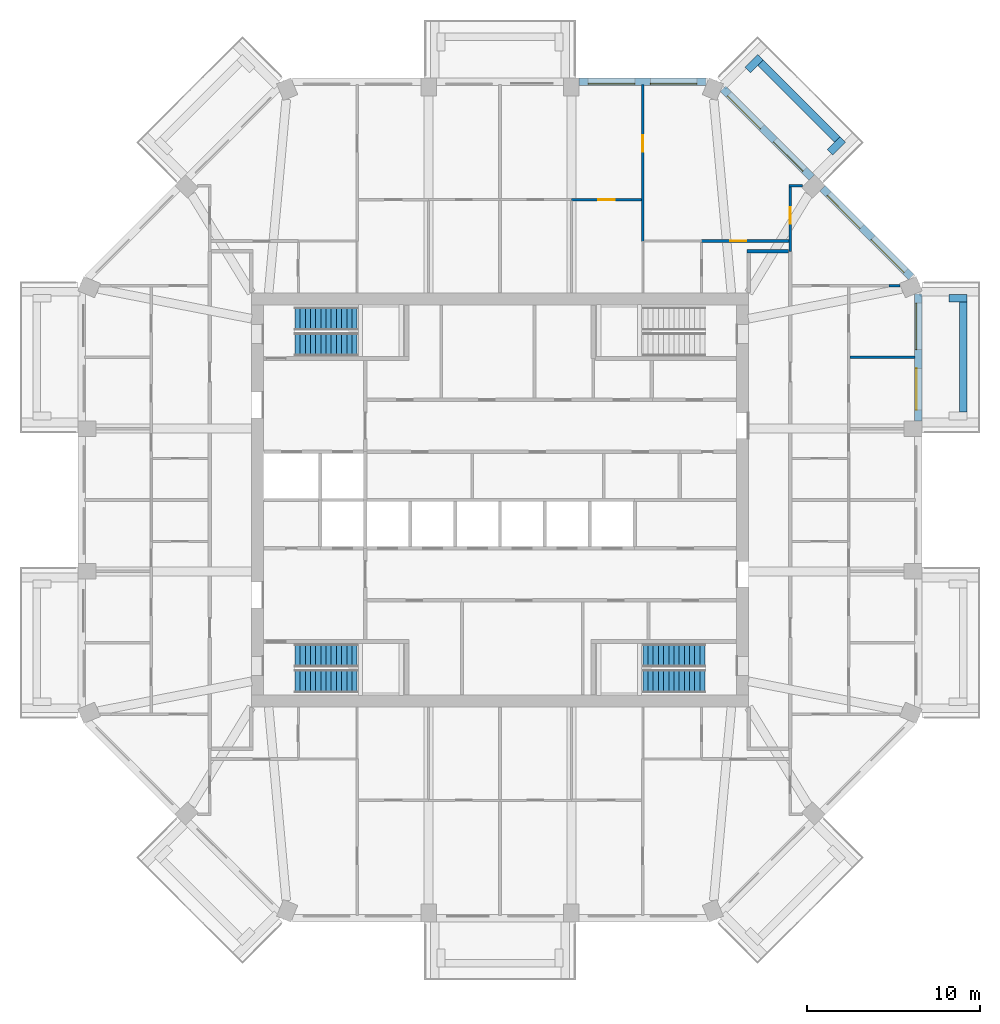
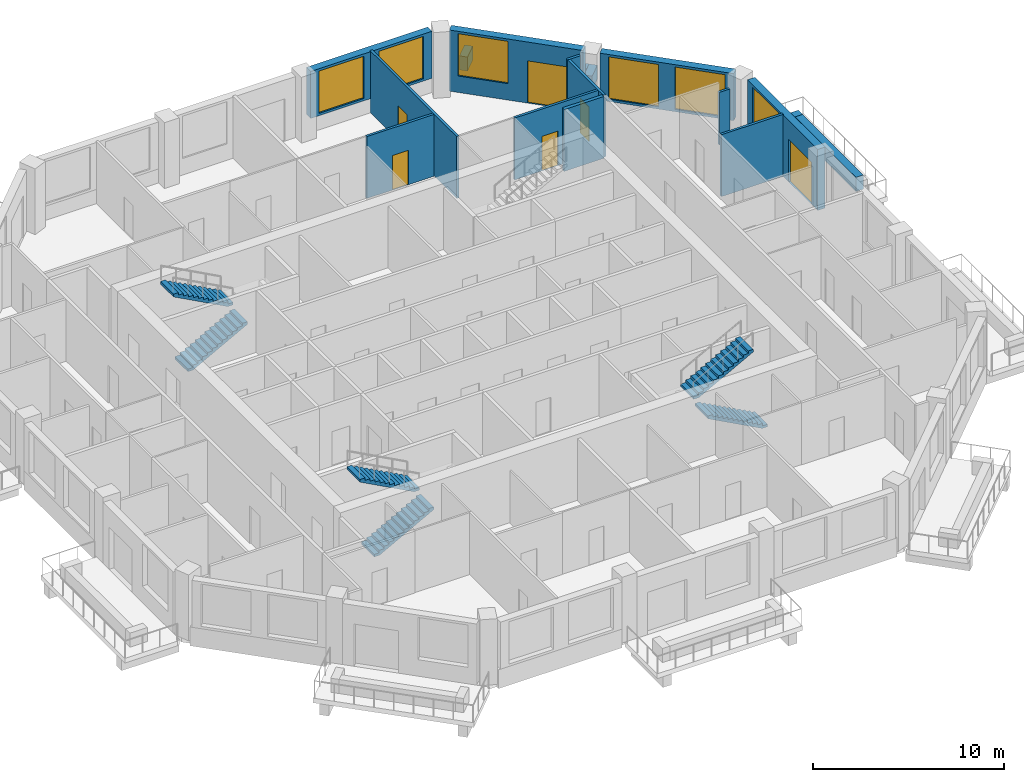
# One storey, part 9 of 12: 17 walls, 6 doors, 6 stair flights, 6 windows, 12 openings, 3 elements without a shape of their own.
"""IFC4 building model written with IfcOpenShell, lengths in metres."""

from ifc_helpers import new_model, si_unit, direction, frame, frame_2d, origin, place, context, subcontext, project, spatial, polyline, rectangle, outline, extrude, material, layer, layer_set, type_object, element, fill, aggregate, save


model = new_model("IFC4")

# Units and contexts
model_context = context("Model", 3, precision=1e-05, world=origin(), true_north=direction((0.0, 1.0)))
body_context = subcontext(model_context, "Body", "Model", "MODEL_VIEW")
ifc_project = project(units=[si_unit("LENGTHUNIT", "METRE"), si_unit("AREAUNIT", "SQUARE_METRE"), si_unit("VOLUMEUNIT", "CUBIC_METRE"), si_unit("PLANEANGLEUNIT", "RADIAN"), si_unit("MASSUNIT", "GRAM", prefix="KILO")], contexts=[model_context])

# Site, building, storey
site_placement = place(None, origin())
site = spatial("IfcSite", under=ifc_project, at=site_placement, CompositionType="ELEMENT")
building_placement = place(site_placement, origin())
building = spatial("IfcBuilding", under=site, at=building_placement, Name="Msitu Wima Residences", CompositionType="ELEMENT")
storey_placement = place(building_placement, frame((0.0, 0.0, 166.5)))
storey = spatial("IfcBuildingStorey", under=building, at=storey_placement, Name="L38", CompositionType="ELEMENT", Elevation=166.5)

# Walls
ifc_material_1 = material(Name="Facing brick")
ifc_layer_1 = layer(ifc_material_1, 0.06494140625, Name="Facing brick")
ifc_material_2 = material(Name="Concrete C40/50", Category="concrete")
ifc_layer_2 = layer(ifc_material_2, 0.156005859375, Name="Concrete C40/50")
ifc_material_3 = material(Name="Waterproofing membrane")
ifc_layer_3 = layer(ifc_material_3, 0.00390625, Name="Waterproofing membrane")
ifc_material_4 = material(Name="Planting soil and planting")
ifc_layer_4 = layer(ifc_material_4, 0.22509765625, Name="Planting soil and planting")
ifc_layer_set_1 = layer_set([ifc_layer_1, ifc_layer_2, ifc_layer_3, ifc_layer_4], Name="Concrete C40/50")
wall_type_1 = type_object("IfcWallType", Name="Balcony planter PLANTER PL450", PredefinedType="USERDEFINED", material=ifc_layer_set_1)
wall_1_placement = place(storey_placement, frame((26.824951171875, 5.087158203125, 0.0), z_axis=(0.0, 0.0, 1.0), x_axis=(0.0, 1.0, 0.0)))
element("IfcWall", 1, at=wall_1_placement, inside=storey, type_object=wall_type_1, Name="Balcony planter E2 L38", ObjectType="PLANTER", PredefinedType="USERDEFINED", context=body_context, shape_type="SweptSolid", body=[
    extrude(rectangle(XDim=6.37451171875, YDim=0.449951171875, at=frame_2d((3.187255859375, 0.0))), origin(), (0.0, 0.0, 1.0), 0.89990234375),
])
wall_2_placement = place(storey_placement, frame((26.0, 11.686767578125, 0.0), z_axis=(0.0, 0.0, 1.0), x_axis=(1.0, 0.0, 0.0)))
element("IfcWall", 2, at=wall_2_placement, inside=storey, type_object=wall_type_1, Name="Balcony planter E2 L38", ObjectType="PLANTER", PredefinedType="USERDEFINED", context=body_context, shape_type="SweptSolid", body=[
    extrude(rectangle(XDim=1.050048828125, YDim=0.449951171875, at=frame_2d((0.52490234375, 0.0))), origin(), (0.0, 0.0, 1.0), 0.89990234375),
])
wall_3_placement = place(storey_placement, frame((19.53173828125, 20.875244140625, 0.0), z_axis=(0.0, 0.0, 1.0), x_axis=(-0.707106781187, 0.707106781187, 0.0)))
element("IfcWall", 3, at=wall_3_placement, inside=storey, type_object=wall_type_1, Name="Balcony planter NE1 L38", ObjectType="PLANTER", PredefinedType="USERDEFINED", context=body_context, shape_type="SweptSolid", body=[
    extrude(rectangle(XDim=6.294189453125, YDim=0.449951171875, at=frame_2d((3.14697265625, 0.0))), origin(), (0.0, 0.0, 1.0), 0.89990234375),
])
for number, where, z_axis, x_axis, name in (
    (4, (19.107421875, 20.1328125, 0.0), (0.0, 0.0, 1.0), (0.707106781187, 0.707106781187, 0.0), "Balcony planter NE1 L38"),
    (5, (14.338623046875, 24.901611328125, 0.0), (0.0, 0.0, 1.0), (0.707106781187, 0.707106781187, 0.0), "Balcony planter NE1 L38"),
):
    element("IfcWall", number, at=place(storey_placement, frame(where, z_axis=z_axis, x_axis=x_axis)), inside=storey, type_object=wall_type_1, Name=name, ObjectType="PLANTER", PredefinedType="USERDEFINED", context=body_context, shape_type="SweptSolid", body=[
        extrude(rectangle(XDim=1.050048828125, YDim=0.449951171875, at=frame_2d((0.52490234375, 0.0))), origin(), (0.0, 0.0, 1.0), 0.89990234375),
    ])

# Wall, openings, door, window
ifc_material_5 = material(Name="Brick (red buff mix)", Category="masonry")
ifc_layer_5 = layer(ifc_material_5, 0.449951171875)
ifc_layer_set_2 = layer_set([ifc_layer_5], Name="Brick (red buff mix)")
wall_type_2 = type_object("IfcWallType", Name="Brick infill wall BW450", PredefinedType="SOLIDWALL", material=ifc_layer_set_2)
wall_4_placement = place(storey_placement, frame((24.22509765625, 4.587158203125, 0.0), z_axis=(0.0, 0.0, 1.0), x_axis=(0.0, 1.0, 0.0)))
wall_4 = element("IfcWall", 6, at=wall_4_placement, inside=storey, type_object=wall_type_2, Name="Brick infill wall L38 E2", PredefinedType="SOLIDWALL", context=body_context, shape_type="SweptSolid", body=[
    extrude(rectangle(XDim=7.337646484375, YDim=0.449951171875, at=frame_2d((3.6689453125, 0.0))), origin(), (0.0, 0.0, 1.0), 3.89990234375),
])
opening_1_placement = place(wall_4_placement, frame((0.63427734375, 0.0, 0.0)))
opening_1 = element("IfcOpeningElement", 7, at=opening_1_placement, cuts=wall_4, Name="Opening D38-39.002", PredefinedType="OPENING", context=body_context, shape_type="SweptSolid", body=[
    extrude(rectangle(XDim=2.39990234375, YDim=2.699951171875, at=frame_2d((1.199951171875, 1.35009765625))), frame((0.0, 0.23486328125, 0.0), z_axis=(0.0, -1.0, 0.0), x_axis=(1.0, 0.0, 0.0)), (0.0, 0.0, 1.0), 0.469970703125),
])
opening_2_placement = place(wall_4_placement, frame((4.11865234375, 0.0, 1.050048828125)))
opening_2 = element("IfcOpeningElement", 8, at=opening_2_placement, cuts=wall_4, Name="Opening W38-39.004", PredefinedType="OPENING", context=body_context, shape_type="SweptSolid", body=[
    extrude(rectangle(XDim=2.699951171875, YDim=2.699951171875, at=frame_2d((1.35009765625, 1.35009765625))), frame((0.0, 0.23486328125, 0.0), z_axis=(0.0, -1.0, 0.0), x_axis=(1.0, 0.0, 0.0)), (0.0, 0.0, 1.0), 0.469970703125),
])
ifc_material_6 = material(Name="Anodised aluminium, bronze finish, clear low-emissivity double glazing", Category="aluminium")
door_type_1 = type_object("IfcDoorType", Name="Balcony door D2400x2700", OperationType="SLIDING_TO_LEFT", PredefinedType="DOOR", material=ifc_material_6)
door_1_placement = place(opening_1_placement, origin())
door_1 = element("IfcDoor", 9, at=door_1_placement, inside=storey, type_object=door_type_1, Name="Balcony door L38 E2", OperationType="SINGLE_SWING_LEFT", OverallHeight=2.699951171875, OverallWidth=2.39990234375, PredefinedType="DOOR", context=body_context, shape_type="SweptSolid", body=[
    extrude(rectangle(XDim=2.39990234375, YDim=2.699951171875, at=frame_2d((1.199951171875, 1.35009765625))), frame((0.0, 0.1298828125, 0.0), z_axis=(0.0, -1.0, 0.0), x_axis=(1.0, 0.0, 0.0)), (0.0, 0.0, 1.0), 0.050048828125),
])
fill(opening_1, door_1)
window_type = type_object("IfcWindowType", Name="Window W2700x2700", PartitioningType="DOUBLE_PANEL_VERTICAL", PredefinedType="WINDOW", material=ifc_material_6)
window_1_placement = place(opening_2_placement, origin())
window_1 = element("IfcWindow", 10, at=window_1_placement, inside=storey, type_object=window_type, Name="Window L38 E2.2", OverallHeight=2.699951171875, OverallWidth=2.699951171875, PartitioningType="SINGLE_PANEL", PredefinedType="WINDOW", context=body_context, shape_type="SweptSolid", body=[
    extrude(rectangle(XDim=2.699951171875, YDim=2.699951171875, at=frame_2d((1.35009765625, 1.35009765625))), frame((0.0, 0.135009765625, 0.0), z_axis=(0.0, -1.0, 0.0), x_axis=(1.0, 0.0, 0.0)), (0.0, 0.0, 1.0), 0.06005859375),
])
fill(opening_2, window_1)

# Wall, openings, windows
wall_5_placement = place(storey_placement, frame((23.814697265625, 12.915283203125, 0.89990234375), z_axis=(0.0, 0.0, 1.0), x_axis=(-0.707106781187, 0.707106781187, 0.0)))
wall_5 = element("IfcWall", 11, at=wall_5_placement, inside=storey, type_object=wall_type_2, Name="Brick infill wall L38 NE0", PredefinedType="SOLIDWALL", context=body_context, shape_type="SweptSolid", body=[
    extrude(rectangle(XDim=7.257080078125, YDim=0.449951171875, at=frame_2d((3.62841796875, 0.0))), origin(), (0.0, 0.0, 1.0), 3.0),
])
opening_3_placement = place(wall_5_placement, frame((0.478515625, 0.0, 0.14990234375)))
opening_3 = element("IfcOpeningElement", 12, at=opening_3_placement, cuts=wall_5, Name="Opening W38-39.010", PredefinedType="OPENING", context=body_context, shape_type="SweptSolid", body=[
    extrude(rectangle(XDim=2.699951171875, YDim=2.699951171875, at=frame_2d((1.35009765625, 1.35009765625))), frame((0.0, 0.23486328125, 0.0), z_axis=(0.0, -1.0, 0.0), x_axis=(1.0, 0.0, 0.0)), (0.0, 0.0, 1.0), 0.469970703125),
])
opening_4_placement = place(wall_5_placement, frame((4.07861328125, 0.0, 0.14990234375)))
opening_4 = element("IfcOpeningElement", 13, at=opening_4_placement, cuts=wall_5, Name="Opening W38-39.011", PredefinedType="OPENING", context=body_context, shape_type="SweptSolid", body=[
    extrude(rectangle(XDim=2.699951171875, YDim=2.699951171875, at=frame_2d((1.35009765625, 1.35009765625))), frame((0.0, 0.23486328125, 0.0), z_axis=(0.0, -1.0, 0.0), x_axis=(1.0, 0.0, 0.0)), (0.0, 0.0, 1.0), 0.469970703125),
])
window_2_placement = place(opening_3_placement, origin())
window_2 = element("IfcWindow", 14, at=window_2_placement, inside=storey, type_object=window_type, Name="Window L38 NE0.1", OverallHeight=2.699951171875, OverallWidth=2.699951171875, PartitioningType="SINGLE_PANEL", PredefinedType="WINDOW", context=body_context, shape_type="SweptSolid", body=[
    extrude(rectangle(XDim=2.699951171875, YDim=2.699951171875, at=frame_2d((1.35009765625, 1.35009765625))), frame((0.0, 0.135009765625, 0.0), z_axis=(0.0, -1.0, 0.0), x_axis=(1.0, 0.0, 0.0)), (0.0, 0.0, 1.0), 0.06005859375),
])
fill(opening_3, window_2)
window_3_placement = place(opening_4_placement, origin())
window_3 = element("IfcWindow", 15, at=window_3_placement, inside=storey, type_object=window_type, Name="Window L38 NE0.2", OverallHeight=2.699951171875, OverallWidth=2.699951171875, PartitioningType="SINGLE_PANEL", PredefinedType="WINDOW", context=body_context, shape_type="SweptSolid", body=[
    extrude(rectangle(XDim=2.699951171875, YDim=2.699951171875, at=frame_2d((1.35009765625, 1.35009765625))), frame((0.0, 0.135009765625, 0.0), z_axis=(0.0, -1.0, 0.0), x_axis=(1.0, 0.0, 0.0)), (0.0, 0.0, 1.0), 0.06005859375),
])
fill(opening_4, window_3)

# Wall, openings, door, window
wall_6_placement = place(storey_placement, frame((18.046875, 18.68310546875, 0.0), z_axis=(0.0, 0.0, 1.0), x_axis=(-0.707106781187, 0.707106781187, 0.0)))
wall_6 = element("IfcWall", 16, at=wall_6_placement, inside=storey, type_object=wall_type_2, Name="Brick infill wall L38 NE1", PredefinedType="SOLIDWALL", context=body_context, shape_type="SweptSolid", body=[
    extrude(rectangle(XDim=7.257080078125, YDim=0.449951171875, at=frame_2d((3.62841796875, 0.0))), origin(), (0.0, 0.0, 1.0), 3.89990234375),
])
opening_5_placement = place(wall_6_placement, frame((0.6142578125, 0.0, 0.0)))
opening_5 = element("IfcOpeningElement", 17, at=opening_5_placement, cuts=wall_6, Name="Opening D38-39.004", PredefinedType="OPENING", context=body_context, shape_type="SweptSolid", body=[
    extrude(rectangle(XDim=2.39990234375, YDim=2.699951171875, at=frame_2d((1.199951171875, 1.35009765625))), frame((0.0, 0.23486328125, 0.0), z_axis=(0.0, -1.0, 0.0), x_axis=(1.0, 0.0, 0.0)), (0.0, 0.0, 1.0), 0.469970703125),
])
opening_6_placement = place(wall_6_placement, frame((4.07861328125, 0.0, 1.050048828125)))
opening_6 = element("IfcOpeningElement", 18, at=opening_6_placement, cuts=wall_6, Name="Opening W38-39.012", PredefinedType="OPENING", context=body_context, shape_type="SweptSolid", body=[
    extrude(rectangle(XDim=2.699951171875, YDim=2.699951171875, at=frame_2d((1.35009765625, 1.35009765625))), frame((0.0, 0.23486328125, 0.0), z_axis=(0.0, -1.0, 0.0), x_axis=(1.0, 0.0, 0.0)), (0.0, 0.0, 1.0), 0.469970703125),
])
door_2_placement = place(opening_5_placement, origin())
door_2 = element("IfcDoor", 19, at=door_2_placement, inside=storey, type_object=door_type_1, Name="Balcony door L38 NE1", OperationType="SINGLE_SWING_LEFT", OverallHeight=2.699951171875, OverallWidth=2.39990234375, PredefinedType="DOOR", context=body_context, shape_type="SweptSolid", body=[
    extrude(rectangle(XDim=2.39990234375, YDim=2.699951171875, at=frame_2d((1.199951171875, 1.35009765625))), frame((0.0, 0.1298828125, 0.0), z_axis=(0.0, -1.0, 0.0), x_axis=(1.0, 0.0, 0.0)), (0.0, 0.0, 1.0), 0.050048828125),
])
fill(opening_5, door_2)
window_4_placement = place(opening_6_placement, origin())
window_4 = element("IfcWindow", 20, at=window_4_placement, inside=storey, type_object=window_type, Name="Window L38 NE1.2", OverallHeight=2.699951171875, OverallWidth=2.699951171875, PartitioningType="SINGLE_PANEL", PredefinedType="WINDOW", context=body_context, shape_type="SweptSolid", body=[
    extrude(rectangle(XDim=2.699951171875, YDim=2.699951171875, at=frame_2d((1.35009765625, 1.35009765625))), frame((0.0, 0.135009765625, 0.0), z_axis=(0.0, -1.0, 0.0), x_axis=(1.0, 0.0, 0.0)), (0.0, 0.0, 1.0), 0.06005859375),
])
fill(opening_6, window_4)

# Wall, openings, windows
wall_7_placement = place(storey_placement, frame((11.9248046875, 24.22509765625, 0.89990234375), z_axis=(0.0, 0.0, 1.0), x_axis=(-1.0, 0.0, 0.0)))
wall_7 = element("IfcWall", 21, at=wall_7_placement, inside=storey, type_object=wall_type_2, Name="Brick infill wall L38 N0", PredefinedType="SOLIDWALL", context=body_context, shape_type="SweptSolid", body=[
    extrude(rectangle(XDim=7.337646484375, YDim=0.449951171875, at=frame_2d((3.6689453125, 0.0))), origin(), (0.0, 0.0, 1.0), 3.0),
])
opening_7_placement = place(wall_7_placement, frame((0.518798828125, 0.0, 0.14990234375)))
opening_7 = element("IfcOpeningElement", 22, at=opening_7_placement, cuts=wall_7, Name="Opening W38-39.005", PredefinedType="OPENING", context=body_context, shape_type="SweptSolid", body=[
    extrude(rectangle(XDim=2.699951171875, YDim=2.699951171875, at=frame_2d((1.35009765625, 1.35009765625))), frame((0.0, 0.23486328125, 0.0), z_axis=(0.0, -1.0, 0.0), x_axis=(1.0, 0.0, 0.0)), (0.0, 0.0, 1.0), 0.469970703125),
])
opening_8_placement = place(wall_7_placement, frame((4.11865234375, 0.0, 0.14990234375)))
opening_8 = element("IfcOpeningElement", 23, at=opening_8_placement, cuts=wall_7, Name="Opening W38-39.006", PredefinedType="OPENING", context=body_context, shape_type="SweptSolid", body=[
    extrude(rectangle(XDim=2.699951171875, YDim=2.699951171875, at=frame_2d((1.35009765625, 1.35009765625))), frame((0.0, 0.23486328125, 0.0), z_axis=(0.0, -1.0, 0.0), x_axis=(1.0, 0.0, 0.0)), (0.0, 0.0, 1.0), 0.469970703125),
])
window_5_placement = place(opening_7_placement, origin())
window_5 = element("IfcWindow", 24, at=window_5_placement, inside=storey, type_object=window_type, Name="Window L38 N0.1", OverallHeight=2.699951171875, OverallWidth=2.699951171875, PartitioningType="SINGLE_PANEL", PredefinedType="WINDOW", context=body_context, shape_type="SweptSolid", body=[
    extrude(rectangle(XDim=2.699951171875, YDim=2.699951171875, at=frame_2d((1.35009765625, 1.35009765625))), frame((0.0, 0.135009765625, 0.0), z_axis=(0.0, -1.0, 0.0), x_axis=(1.0, 0.0, 0.0)), (0.0, 0.0, 1.0), 0.06005859375),
])
fill(opening_7, window_5)
window_6_placement = place(opening_8_placement, origin())
window_6 = element("IfcWindow", 25, at=window_6_placement, inside=storey, type_object=window_type, Name="Window L38 N0.2", OverallHeight=2.699951171875, OverallWidth=2.699951171875, PartitioningType="SINGLE_PANEL", PredefinedType="WINDOW", context=body_context, shape_type="SweptSolid", body=[
    extrude(rectangle(XDim=2.699951171875, YDim=2.699951171875, at=frame_2d((1.35009765625, 1.35009765625))), frame((0.0, 0.135009765625, 0.0), z_axis=(0.0, -1.0, 0.0), x_axis=(1.0, 0.0, 0.0)), (0.0, 0.0, 1.0), 0.06005859375),
])
fill(opening_8, window_6)

# Wall
ifc_material_7 = material(Name="Plaster")
ifc_layer_6 = layer(ifc_material_7, 0.011962890625, Name="Plaster")
ifc_material_8 = material(Name="Concrete blockwork", Category="masonry")
ifc_layer_7 = layer(ifc_material_8, 0.176025390625, Name="Concrete blockwork")
ifc_layer_8 = layer(ifc_material_7, 0.011962890625, Name="Plaster")
ifc_layer_set_3 = layer_set([ifc_layer_6, ifc_layer_7, ifc_layer_8], Name="Concrete blockwork")
wall_type_3 = type_object("IfcWallType", Name="Corridor wall FW200", PredefinedType="PARTITIONING", material=ifc_layer_set_3)
wall_8_placement = place(storey_placement, frame((14.300048828125, 14.39990234375, 0.0), z_axis=(0.0, 0.0, 1.0), x_axis=(1.0, 0.0, 0.0)))
element("IfcWall", 26, at=wall_8_placement, inside=storey, type_object=wall_type_3, Name="Corridor wall", PredefinedType="PARTITIONING", context=body_context, shape_type="SweptSolid", body=[
    extrude(rectangle(XDim=2.39990234375, YDim=0.199951171875, at=frame_2d((1.199951171875, 0.0))), origin(), (0.0, 0.0, 1.0), 3.949951171875),
])

# Wall, opening, door
ifc_layer_9 = layer(ifc_material_7, 0.011962890625, Name="Plaster")
ifc_layer_10 = layer(ifc_material_8, 0.1259765625, Name="Concrete blockwork")
ifc_layer_11 = layer(ifc_material_7, 0.011962890625, Name="Plaster")
ifc_layer_set_4 = layer_set([ifc_layer_9, ifc_layer_10, ifc_layer_11], Name="Concrete blockwork")
wall_type_4 = type_object("IfcWallType", Name="Partition PW150", PredefinedType="PARTITIONING", material=ifc_layer_set_4)
wall_9_placement = place(storey_placement, frame((4.13720703125, 17.39990234375, 0.0), z_axis=(0.0, 0.0, 1.0), x_axis=(1.0, 0.0, 0.0)))
wall_9 = element("IfcWall", 27, at=wall_9_placement, inside=storey, type_object=wall_type_4, Name="Partition", PredefinedType="PARTITIONING", context=body_context, shape_type="SweptSolid", body=[
    extrude(rectangle(XDim=4.062255859375, YDim=0.14990234375, at=frame_2d((2.03125, 0.0))), origin(), (0.0, 0.0, 1.0), 3.949951171875),
])
opening_9_placement = place(wall_9_placement, frame((1.550048828125, 0.0, 0.0)))
opening_9 = element("IfcOpeningElement", 28, at=opening_9_placement, cuts=wall_9, Name="Opening D38-39.013", PredefinedType="OPENING", context=body_context, shape_type="SweptSolid", body=[
    extrude(rectangle(XDim=0.949951171875, YDim=2.199951171875, at=frame_2d((0.47509765625, 1.10009765625))), frame((0.0, 0.0849609375, 0.0), z_axis=(0.0, -1.0, 0.0), x_axis=(1.0, 0.0, 0.0)), (0.0, 0.0, 1.0), 0.169921875),
])
ifc_material_9 = material(Name="Timber flush door", Category="wood")
door_type_2 = type_object("IfcDoorType", Name="Room door D12 950x2200", OperationType="SINGLE_SWING_LEFT", PredefinedType="DOOR", material=ifc_material_9)
door_3_placement = place(opening_9_placement, origin())
door_3 = element("IfcDoor", 29, at=door_3_placement, inside=storey, type_object=door_type_2, Name="Room door", OperationType="SINGLE_SWING_RIGHT", OverallHeight=2.199951171875, OverallWidth=0.949951171875, PredefinedType="DOOR", context=body_context, shape_type="SweptSolid", body=[
    extrude(rectangle(XDim=0.949951171875, YDim=2.199951171875, at=frame_2d((0.47509765625, 1.10009765625))), frame((0.0, 0.02490234375, 0.0), z_axis=(0.0, -1.0, 0.0), x_axis=(1.0, 0.0, 0.0)), (0.0, 0.0, 1.0), 0.050048828125),
])
fill(opening_9, door_3)

wall_10_placement = place(storey_placement, frame((8.2744140625, 14.97998046875, 0.0), z_axis=(0.0, 0.0, 1.0), x_axis=(0.0, 1.0, 0.0)))
wall_10 = element("IfcWall", 30, at=wall_10_placement, inside=storey, type_object=wall_type_4, Name="Partition", PredefinedType="PARTITIONING", context=body_context, shape_type="SweptSolid", body=[
    extrude(rectangle(XDim=9.074951171875, YDim=0.14990234375, at=frame_2d((4.53759765625, 0.0))), origin(), (0.0, 0.0, 1.0), 3.949951171875),
])
opening_10_placement = place(wall_10_placement, frame((5.199951171875, 0.0, 0.0)))
opening_10 = element("IfcOpeningElement", 31, at=opening_10_placement, cuts=wall_10, Name="Opening D38-39.020", PredefinedType="OPENING", context=body_context, shape_type="SweptSolid", body=[
    extrude(rectangle(XDim=0.949951171875, YDim=2.199951171875, at=frame_2d((0.47509765625, 1.10009765625))), frame((0.0, 0.0849609375, 0.0), z_axis=(0.0, -1.0, 0.0), x_axis=(1.0, 0.0, 0.0)), (0.0, 0.0, 1.0), 0.169921875),
])
door_4_placement = place(opening_10_placement, origin())
door_4 = element("IfcDoor", 32, at=door_4_placement, inside=storey, type_object=door_type_2, Name="Room door", OperationType="SINGLE_SWING_LEFT", OverallHeight=2.199951171875, OverallWidth=0.949951171875, PredefinedType="DOOR", context=body_context, shape_type="SweptSolid", body=[
    extrude(rectangle(XDim=0.949951171875, YDim=2.199951171875, at=frame_2d((0.47509765625, 1.10009765625))), frame((0.0, 0.02490234375, 0.0), z_axis=(0.0, -1.0, 0.0), x_axis=(1.0, 0.0, 0.0)), (0.0, 0.0, 1.0), 0.050048828125),
])
fill(opening_10, door_4)

wall_11_placement = place(storey_placement, frame((11.674560546875, 15.0, 0.0), z_axis=(0.0, 0.0, 1.0), x_axis=(1.0, 0.0, 0.0)))
wall_11 = element("IfcWall", 33, at=wall_11_placement, inside=storey, type_object=wall_type_4, Name="Partition", PredefinedType="PARTITIONING", context=body_context, shape_type="SweptSolid", body=[
    extrude(rectangle(XDim=5.050537109375, YDim=0.14990234375, at=frame_2d((2.525390625, 0.0))), origin(), (0.0, 0.0, 1.0), 3.949951171875),
])
opening_11_placement = place(wall_11_placement, frame((1.64990234375, 0.0, 0.0)))
opening_11 = element("IfcOpeningElement", 34, at=opening_11_placement, cuts=wall_11, Name="Opening D38-39.021", PredefinedType="OPENING", context=body_context, shape_type="SweptSolid", body=[
    extrude(rectangle(XDim=0.949951171875, YDim=2.199951171875, at=frame_2d((0.47509765625, 1.10009765625))), frame((0.0, 0.0849609375, 0.0), z_axis=(0.0, -1.0, 0.0), x_axis=(1.0, 0.0, 0.0)), (0.0, 0.0, 1.0), 0.169921875),
])
door_5_placement = place(opening_11_placement, origin())
door_5 = element("IfcDoor", 35, at=door_5_placement, inside=storey, type_object=door_type_2, Name="Room door", OperationType="SINGLE_SWING_RIGHT", OverallHeight=2.199951171875, OverallWidth=0.949951171875, PredefinedType="DOOR", context=body_context, shape_type="SweptSolid", body=[
    extrude(rectangle(XDim=0.949951171875, YDim=2.199951171875, at=frame_2d((0.47509765625, 1.10009765625))), frame((0.0, 0.02490234375, 0.0), z_axis=(0.0, -1.0, 0.0), x_axis=(1.0, 0.0, 0.0)), (0.0, 0.0, 1.0), 0.050048828125),
])
fill(opening_11, door_5)

# Wall
wall_12_placement = place(storey_placement, frame((22.538330078125, 12.411865234375, 0.0), z_axis=(0.0, 0.0, 1.0), x_axis=(1.0, 0.0, 0.0)))
element("IfcWall", 36, at=wall_12_placement, inside=storey, type_object=wall_type_4, Name="Partition", PredefinedType="PARTITIONING", context=body_context, shape_type="SweptSolid", body=[
    extrude(rectangle(XDim=0.630615234375, YDim=0.14990234375, at=frame_2d((0.3154296875, 0.0))), origin(), (0.0, 0.0, 1.0), 3.35009765625),
])

# Wall, opening, door
wall_13_placement = place(storey_placement, frame((16.800048828125, 14.39990234375, 0.0), z_axis=(0.0, 0.0, 1.0), x_axis=(0.0, 1.0, 0.0)))
wall_13 = element("IfcWall", 37, at=wall_13_placement, inside=storey, type_object=wall_type_4, Name="Partition", PredefinedType="PARTITIONING", context=body_context, shape_type="SweptSolid", body=[
    extrude(rectangle(XDim=3.73095703125, YDim=0.14990234375, at=frame_2d((1.865478515625, 0.0))), origin(), (0.0, 0.0, 1.0), 3.949951171875),
])
opening_12_placement = place(wall_13_placement, frame((1.60009765625, 0.0, 0.0)))
opening_12 = element("IfcOpeningElement", 38, at=opening_12_placement, cuts=wall_13, Name="Opening D38-39.019", PredefinedType="OPENING", context=body_context, shape_type="SweptSolid", body=[
    extrude(rectangle(XDim=0.949951171875, YDim=2.199951171875, at=frame_2d((0.47509765625, 1.10009765625))), frame((0.0, 0.0849609375, 0.0), z_axis=(0.0, -1.0, 0.0), x_axis=(1.0, 0.0, 0.0)), (0.0, 0.0, 1.0), 0.169921875),
])
door_6_placement = place(opening_12_placement, origin())
door_6 = element("IfcDoor", 39, at=door_6_placement, inside=storey, type_object=door_type_2, Name="Room door", OperationType="SINGLE_SWING_LEFT", OverallHeight=2.199951171875, OverallWidth=0.949951171875, PredefinedType="DOOR", context=body_context, shape_type="SweptSolid", body=[
    extrude(rectangle(XDim=0.949951171875, YDim=2.199951171875, at=frame_2d((0.47509765625, 1.10009765625))), frame((0.0, 0.02490234375, 0.0), z_axis=(0.0, -1.0, 0.0), x_axis=(1.0, 0.0, 0.0)), (0.0, 0.0, 1.0), 0.050048828125),
])
fill(opening_12, door_6)

# Walls
wall_14_placement = place(storey_placement, frame((16.72509765625, 18.205810546875, 0.0), z_axis=(0.0, 0.0, 1.0), x_axis=(1.0, 0.0, 0.0)))
element("IfcWall", 40, at=wall_14_placement, inside=storey, type_object=wall_type_4, Name="Partition", PredefinedType="PARTITIONING", context=body_context, shape_type="SweptSolid", body=[
    extrude(rectangle(XDim=0.784423828125, YDim=0.14990234375, at=frame_2d((0.39208984375, 0.0))), origin(), (0.0, 0.0, 1.0), 3.949951171875),
])
wall_15_placement = place(storey_placement, frame((20.27490234375, 8.2744140625, 0.0), z_axis=(0.0, 0.0, 1.0), x_axis=(1.0, 0.0, 0.0)))
element("IfcWall", 41, at=wall_15_placement, inside=storey, type_object=wall_type_4, Name="Partition", PredefinedType="PARTITIONING", context=body_context, shape_type="SweptSolid", body=[
    extrude(rectangle(XDim=3.75, YDim=0.14990234375, at=frame_2d((1.875, 0.0))), origin(), (0.0, 0.0, 1.0), 3.949951171875),
])

# Stair, stair flights
stair_type = type_object("IfcStairType", Name="Exit stair ES1615-135", PredefinedType="HALF_TURN_STAIR", material=ifc_material_2)
stair_1_placement = place(storey_placement, origin())
stair_1 = element("IfcStair", 42, at=stair_1_placement, inside=storey, type_object=stair_type, Name="Exit stair 1", PredefinedType="HALF_TURN_STAIR")
stair_flight_type = type_object("IfcStairFlightType", Name="Exit stair flight ES1615-135", PredefinedType="STRAIGHT", material=ifc_material_2)
stair_flight_1_placement = place(storey_placement, frame((-11.875, 9.0, 0.0), z_axis=(0.0, 0.0, 1.0), x_axis=(1.0, 0.0, 0.0)))
stair_flight_1 = element("IfcStairFlight", 43, at=stair_flight_1_placement, type_object=stair_flight_type, Name="S1 flight 1", NumberOfRisers=13, NumberOfTreads=12, PredefinedType="STRAIGHT", RiserHeight=0.161538462, TreadLength=0.3, context=body_context, shape_type="SweptSolid", body=[
    extrude(outline(polyline([(0.0, 0.0), (0.0, 0.16162109375), (0.300048828125, 0.16162109375), (0.300048828125, 0.322998046875), (0.60009765625, 0.322998046875), (0.60009765625, 0.484619140625), (0.89990234375, 0.484619140625), (0.89990234375, 0.646240234375), (1.199951171875, 0.646240234375), (1.199951171875, 0.8076171875), (1.5, 0.8076171875), (1.5, 0.96923828125), (1.800048828125, 0.96923828125), (1.800048828125, 1.130859375), (2.10009765625, 1.130859375), (2.10009765625, 1.292236328125), (2.39990234375, 1.292236328125), (2.39990234375, 1.453857421875), (2.699951171875, 1.453857421875), (2.699951171875, 1.615478515625), (3.0, 1.615478515625), (3.0, 1.77685546875), (3.300048828125, 1.77685546875), (3.300048828125, 1.9384765625), (3.60009765625, 1.9384765625), (3.60009765625, 2.10009765625), (3.60009765625, 1.768310546875), (0.316162109375, 0.0), (0.0, 0.0)])), frame((0.0, 0.675048828125, 0.0), z_axis=(0.0, -1.0, 0.0), x_axis=(1.0, 0.0, 0.0)), (0.0, 0.0, 1.0), 1.35009765625),
])
stair_flight_2_placement = place(storey_placement, frame((-8.27490234375, 10.5, 2.10009765625), z_axis=(0.0, 0.0, 1.0), x_axis=(-1.0, 0.0, 0.0)))
stair_flight_2 = element("IfcStairFlight", 44, at=stair_flight_2_placement, type_object=stair_flight_type, Name="S1 flight 2", NumberOfRisers=13, NumberOfTreads=12, PredefinedType="STRAIGHT", RiserHeight=0.161538462, TreadLength=0.3, context=body_context, shape_type="SweptSolid", body=[
    extrude(outline(polyline([(0.0, 0.0), (0.0, 0.16162109375), (0.300048828125, 0.16162109375), (0.300048828125, 0.322998046875), (0.60009765625, 0.322998046875), (0.60009765625, 0.484619140625), (0.89990234375, 0.484619140625), (0.89990234375, 0.646240234375), (1.199951171875, 0.646240234375), (1.199951171875, 0.8076171875), (1.5, 0.8076171875), (1.5, 0.96923828125), (1.800048828125, 0.96923828125), (1.800048828125, 1.130859375), (2.10009765625, 1.130859375), (2.10009765625, 1.292236328125), (2.39990234375, 1.292236328125), (2.39990234375, 1.453857421875), (2.699951171875, 1.453857421875), (2.699951171875, 1.615478515625), (3.0, 1.615478515625), (3.0, 1.77685546875), (3.300048828125, 1.77685546875), (3.300048828125, 1.9384765625), (3.60009765625, 1.9384765625), (3.60009765625, 2.10009765625), (3.60009765625, 1.768310546875), (0.316162109375, 0.0), (0.0, 0.0)])), frame((0.0, 0.675048828125, 0.0), z_axis=(0.0, -1.0, 0.0), x_axis=(1.0, 0.0, 0.0)), (0.0, 0.0, 1.0), 1.35009765625),
])
aggregate(stair_1, [stair_flight_1, stair_flight_2])

stair_2_placement = place(storey_placement, origin())
stair_2 = element("IfcStair", 45, at=stair_2_placement, inside=storey, type_object=stair_type, Name="Exit stair 2", PredefinedType="HALF_TURN_STAIR")
stair_flight_3_placement = place(storey_placement, frame((-11.875, -10.5, 0.0), z_axis=(0.0, 0.0, 1.0), x_axis=(1.0, 0.0, 0.0)))
stair_flight_3 = element("IfcStairFlight", 46, at=stair_flight_3_placement, type_object=stair_flight_type, Name="S2 flight 1", NumberOfRisers=13, NumberOfTreads=12, PredefinedType="STRAIGHT", RiserHeight=0.161538462, TreadLength=0.3, context=body_context, shape_type="SweptSolid", body=[
    extrude(outline(polyline([(0.0, 0.0), (0.0, 0.16162109375), (0.300048828125, 0.16162109375), (0.300048828125, 0.322998046875), (0.60009765625, 0.322998046875), (0.60009765625, 0.484619140625), (0.89990234375, 0.484619140625), (0.89990234375, 0.646240234375), (1.199951171875, 0.646240234375), (1.199951171875, 0.8076171875), (1.5, 0.8076171875), (1.5, 0.96923828125), (1.800048828125, 0.96923828125), (1.800048828125, 1.130859375), (2.10009765625, 1.130859375), (2.10009765625, 1.292236328125), (2.39990234375, 1.292236328125), (2.39990234375, 1.453857421875), (2.699951171875, 1.453857421875), (2.699951171875, 1.615478515625), (3.0, 1.615478515625), (3.0, 1.77685546875), (3.300048828125, 1.77685546875), (3.300048828125, 1.9384765625), (3.60009765625, 1.9384765625), (3.60009765625, 2.10009765625), (3.60009765625, 1.768310546875), (0.316162109375, 0.0), (0.0, 0.0)])), frame((0.0, 0.675048828125, 0.0), z_axis=(0.0, -1.0, 0.0), x_axis=(1.0, 0.0, 0.0)), (0.0, 0.0, 1.0), 1.35009765625),
])
stair_flight_4_placement = place(storey_placement, frame((-8.27490234375, -9.0, 2.10009765625), z_axis=(0.0, 0.0, 1.0), x_axis=(-1.0, 0.0, 0.0)))
stair_flight_4 = element("IfcStairFlight", 47, at=stair_flight_4_placement, type_object=stair_flight_type, Name="S2 flight 2", NumberOfRisers=13, NumberOfTreads=12, PredefinedType="STRAIGHT", RiserHeight=0.161538462, TreadLength=0.3, context=body_context, shape_type="SweptSolid", body=[
    extrude(outline(polyline([(0.0, 0.0), (0.0, 0.16162109375), (0.300048828125, 0.16162109375), (0.300048828125, 0.322998046875), (0.60009765625, 0.322998046875), (0.60009765625, 0.484619140625), (0.89990234375, 0.484619140625), (0.89990234375, 0.646240234375), (1.199951171875, 0.646240234375), (1.199951171875, 0.8076171875), (1.5, 0.8076171875), (1.5, 0.96923828125), (1.800048828125, 0.96923828125), (1.800048828125, 1.130859375), (2.10009765625, 1.130859375), (2.10009765625, 1.292236328125), (2.39990234375, 1.292236328125), (2.39990234375, 1.453857421875), (2.699951171875, 1.453857421875), (2.699951171875, 1.615478515625), (3.0, 1.615478515625), (3.0, 1.77685546875), (3.300048828125, 1.77685546875), (3.300048828125, 1.9384765625), (3.60009765625, 1.9384765625), (3.60009765625, 2.10009765625), (3.60009765625, 1.768310546875), (0.316162109375, 0.0), (0.0, 0.0)])), frame((0.0, 0.675048828125, 0.0), z_axis=(0.0, -1.0, 0.0), x_axis=(1.0, 0.0, 0.0)), (0.0, 0.0, 1.0), 1.35009765625),
])
aggregate(stair_2, [stair_flight_3, stair_flight_4])

stair_3_placement = place(storey_placement, origin())
stair_3 = element("IfcStair", 48, at=stair_3_placement, inside=storey, type_object=stair_type, Name="Exit stair 4", PredefinedType="HALF_TURN_STAIR")
stair_flight_5_placement = place(storey_placement, frame((11.875, -10.5, 0.0), z_axis=(0.0, 0.0, 1.0), x_axis=(-1.0, 0.0, 0.0)))
stair_flight_5 = element("IfcStairFlight", 49, at=stair_flight_5_placement, type_object=stair_flight_type, Name="S4 flight 1", NumberOfRisers=13, NumberOfTreads=12, PredefinedType="STRAIGHT", RiserHeight=0.161538462, TreadLength=0.3, context=body_context, shape_type="SweptSolid", body=[
    extrude(outline(polyline([(0.0, 0.0), (0.0, 0.16162109375), (0.300048828125, 0.16162109375), (0.300048828125, 0.322998046875), (0.60009765625, 0.322998046875), (0.60009765625, 0.484619140625), (0.89990234375, 0.484619140625), (0.89990234375, 0.646240234375), (1.199951171875, 0.646240234375), (1.199951171875, 0.8076171875), (1.5, 0.8076171875), (1.5, 0.96923828125), (1.800048828125, 0.96923828125), (1.800048828125, 1.130859375), (2.10009765625, 1.130859375), (2.10009765625, 1.292236328125), (2.39990234375, 1.292236328125), (2.39990234375, 1.453857421875), (2.699951171875, 1.453857421875), (2.699951171875, 1.615478515625), (3.0, 1.615478515625), (3.0, 1.77685546875), (3.300048828125, 1.77685546875), (3.300048828125, 1.9384765625), (3.60009765625, 1.9384765625), (3.60009765625, 2.10009765625), (3.60009765625, 1.768310546875), (0.316162109375, 0.0), (0.0, 0.0)])), frame((0.0, 0.675048828125, 0.0), z_axis=(0.0, -1.0, 0.0), x_axis=(1.0, 0.0, 0.0)), (0.0, 0.0, 1.0), 1.35009765625),
])
stair_flight_6_placement = place(storey_placement, frame((8.27490234375, -9.0, 2.10009765625), z_axis=(0.0, 0.0, 1.0), x_axis=(1.0, 0.0, 0.0)))
stair_flight_6 = element("IfcStairFlight", 50, at=stair_flight_6_placement, type_object=stair_flight_type, Name="S4 flight 2", NumberOfRisers=13, NumberOfTreads=12, PredefinedType="STRAIGHT", RiserHeight=0.161538462, TreadLength=0.3, context=body_context, shape_type="SweptSolid", body=[
    extrude(outline(polyline([(0.0, 0.0), (0.0, 0.16162109375), (0.300048828125, 0.16162109375), (0.300048828125, 0.322998046875), (0.60009765625, 0.322998046875), (0.60009765625, 0.484619140625), (0.89990234375, 0.484619140625), (0.89990234375, 0.646240234375), (1.199951171875, 0.646240234375), (1.199951171875, 0.8076171875), (1.5, 0.8076171875), (1.5, 0.96923828125), (1.800048828125, 0.96923828125), (1.800048828125, 1.130859375), (2.10009765625, 1.130859375), (2.10009765625, 1.292236328125), (2.39990234375, 1.292236328125), (2.39990234375, 1.453857421875), (2.699951171875, 1.453857421875), (2.699951171875, 1.615478515625), (3.0, 1.615478515625), (3.0, 1.77685546875), (3.300048828125, 1.77685546875), (3.300048828125, 1.9384765625), (3.60009765625, 1.9384765625), (3.60009765625, 2.10009765625), (3.60009765625, 1.768310546875), (0.316162109375, 0.0), (0.0, 0.0)])), frame((0.0, 0.675048828125, 0.0), z_axis=(0.0, -1.0, 0.0), x_axis=(1.0, 0.0, 0.0)), (0.0, 0.0, 1.0), 1.35009765625),
])
aggregate(stair_3, [stair_flight_5, stair_flight_6])

save(model, "model.ifc")
